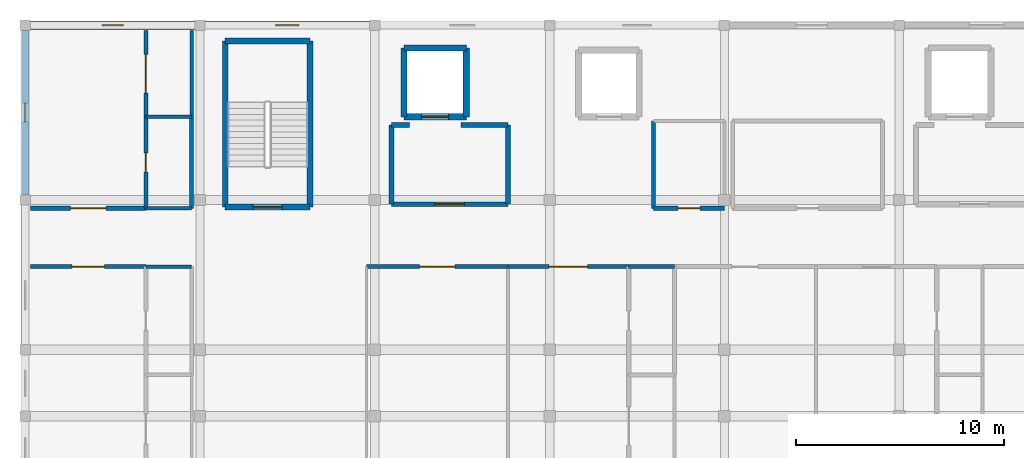
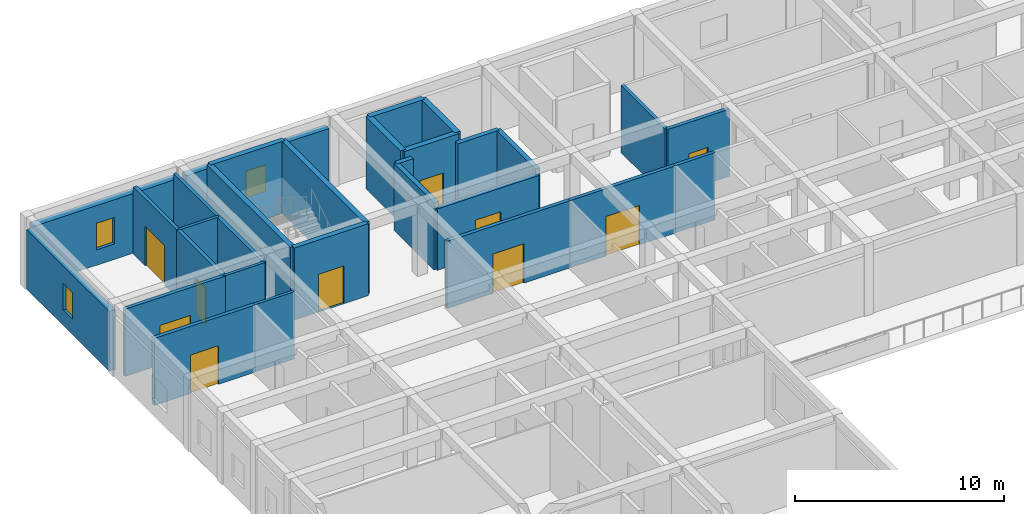
# One storey, part 10 of 28: 30 walls, 10 doors, 3 windows, 13 openings.
"""IFC4 building model written with IfcOpenShell, lengths in metres."""

from ifc_helpers import new_model, si_unit, direction, frame, frame_2d, origin, place, context, subcontext, project, spatial, rectangle, extrude, material, layer, layer_set, type_object, element, fill, save


model = new_model("IFC4")

# Units and contexts
model_context = context("Model", 3, precision=1e-05, world=origin(), true_north=direction((0.0, 1.0)))
body_context = subcontext(model_context, "Body", "Model", "MODEL_VIEW")
ifc_project = project(units=[si_unit("LENGTHUNIT", "METRE"), si_unit("AREAUNIT", "SQUARE_METRE"), si_unit("VOLUMEUNIT", "CUBIC_METRE"), si_unit("PLANEANGLEUNIT", "RADIAN"), si_unit("MASSUNIT", "GRAM", prefix="KILO")], contexts=[model_context])

# Site, building, storey
site_placement = place(None, origin())
site = spatial("IfcSite", under=ifc_project, at=site_placement, CompositionType="ELEMENT")
building_placement = place(site_placement, origin())
building = spatial("IfcBuilding", under=site, at=building_placement, Name="Varncliffe General Hospital", CompositionType="ELEMENT")
storey_placement = place(building_placement, frame((0.0, 0.0, 24.60009765625)))
storey = spatial("IfcBuildingStorey", under=building, at=storey_placement, Name="L05", CompositionType="ELEMENT", Elevation=24.60009765625)

# Wall, opening, window
ifc_material_1 = material(Name="Precast concrete C40/50 with insulated cream lime-cement stucco", Category="concrete")
ifc_layer_1 = layer(ifc_material_1, 0.3798828125)
ifc_layer_set_1 = layer_set([ifc_layer_1], Name="Precast concrete C40/50 with insulated cream lime-cement stucco")
wall_type_1 = type_object("IfcWallType", Name="Exterior Insulated Stucco Wall EW26 (380mm)", PredefinedType="SOLIDWALL", material=ifc_layer_set_1)
wall_1_placement = place(storey_placement, frame((8.64794921875, 124.800048828125, 0.0), z_axis=(0.0, 0.0, 1.0), x_axis=(1.0, 0.0, 0.0)))
wall_1 = element("IfcWall", 1, at=wall_1_placement, inside=storey, type_object=wall_type_1, Name="L05 Exterior Stucco Wall EW26-421", PredefinedType="SOLIDWALL", context=body_context, shape_type="SweptSolid", body=[
    extrude(rectangle(XDim=7.904052734375, YDim=0.3798828125, at=frame_2d((3.9521484375, 0.0))), origin(), (0.0, 0.0, 1.0), 3.47998046875),
])
opening_1_placement = place(wall_1_placement, frame((3.402099609375, 0.0, 0.89990234375)))
opening_1 = element("IfcOpeningElement", 2, at=opening_1_placement, cuts=wall_1, Name="Opening WN69", PredefinedType="OPENING", context=body_context, shape_type="SweptSolid", body=[
    extrude(rectangle(XDim=1.10009765625, YDim=1.550048828125, at=frame_2d((0.550048828125, 0.77490234375))), frame((0.0, 0.199951171875, 0.0), z_axis=(0.0, -1.0, 0.0), x_axis=(1.0, 0.0, 0.0)), (0.0, 0.0, 1.0), 0.39990234375),
])
ifc_material_2 = material(Name="Triple low-E argon insulated vision glazing", Category="glass")
window_type_1 = type_object("IfcWindowType", Name="Triple-Glazed Hospital Window WN69 (1100x1550)", PartitioningType="SINGLE_PANEL", PredefinedType="WINDOW", material=ifc_material_2)
window_1_placement = place(opening_1_placement, origin())
window_1 = element("IfcWindow", 3, at=window_1_placement, inside=storey, type_object=window_type_1, Name="L05 Hospital Window WN69-317", OverallHeight=1.550048828125, OverallWidth=1.10009765625, PartitioningType="SINGLE_PANEL", PredefinedType="WINDOW", context=body_context, shape_type="SweptSolid", body=[
    extrude(rectangle(XDim=1.10009765625, YDim=1.550048828125, at=frame_2d((0.550048828125, 0.77490234375))), frame((0.0, 0.030029296875, 0.0), z_axis=(0.0, -1.0, 0.0), x_axis=(1.0, 0.0, 0.0)), (0.0, 0.0, 1.0), 0.06005859375),
])
fill(opening_1, window_1)

ifc_layer_2 = layer(ifc_material_1, 0.35009765625)
ifc_layer_set_2 = layer_set([ifc_layer_2], Name="Precast concrete C40/50 with insulated cream lime-cement stucco")
wall_type_2 = type_object("IfcWallType", Name="Exterior Insulated Stucco Wall EW37 (350mm)", PredefinedType="SOLIDWALL", material=ifc_layer_set_2)
wall_2_placement = place(storey_placement, frame((0.0, 116.64794921875, 0.0), z_axis=(0.0, 0.0, 1.0), x_axis=(0.0, 1.0, 0.0)))
wall_2 = element("IfcWall", 4, at=wall_2_placement, inside=storey, type_object=wall_type_2, Name="L05 Exterior Stucco Wall EW37-419", PredefinedType="SOLIDWALL", context=body_context, shape_type="SweptSolid", body=[
    extrude(rectangle(XDim=7.904052734375, YDim=0.35009765625, at=frame_2d((3.9521484375, 0.0))), origin(), (0.0, 0.0, 1.0), 3.47998046875),
])
opening_2_placement = place(wall_2_placement, frame((3.501953125, 0.0, 0.89990234375)))
opening_2 = element("IfcOpeningElement", 5, at=opening_2_placement, cuts=wall_2, Name="Opening WN45", PredefinedType="OPENING", context=body_context, shape_type="SweptSolid", body=[
    extrude(rectangle(XDim=0.89990234375, YDim=1.550048828125, at=frame_2d((0.449951171875, 0.77490234375))), frame((0.0, 0.18505859375, 0.0), z_axis=(0.0, -1.0, 0.0), x_axis=(1.0, 0.0, 0.0)), (0.0, 0.0, 1.0), 0.3701171875),
])
window_type_2 = type_object("IfcWindowType", Name="Triple-Glazed Hospital Window WN45 (900x1550)", PartitioningType="SINGLE_PANEL", PredefinedType="WINDOW", material=ifc_material_2)
window_2_placement = place(opening_2_placement, origin())
window_2 = element("IfcWindow", 6, at=window_2_placement, inside=storey, type_object=window_type_2, Name="L05 Hospital Window WN45-315", OverallHeight=1.550048828125, OverallWidth=0.89990234375, PartitioningType="SINGLE_PANEL", PredefinedType="WINDOW", context=body_context, shape_type="SweptSolid", body=[
    extrude(rectangle(XDim=0.89990234375, YDim=1.550048828125, at=frame_2d((0.449951171875, 0.77490234375))), frame((0.0, 0.030029296875, 0.0), z_axis=(0.0, -1.0, 0.0), x_axis=(1.0, 0.0, 0.0)), (0.0, 0.0, 1.0), 0.06005859375),
])
fill(opening_2, window_2)

ifc_layer_3 = layer(ifc_material_1, 0.39990234375)
ifc_layer_set_3 = layer_set([ifc_layer_3], Name="Precast concrete C40/50 with insulated cream lime-cement stucco")
wall_type_3 = type_object("IfcWallType", Name="Exterior Insulated Stucco Wall EW47 (400mm)", PredefinedType="SOLIDWALL", material=ifc_layer_set_3)
wall_3_placement = place(storey_placement, frame((0.248046875, 124.800048828125, 0.0), z_axis=(0.0, 0.0, 1.0), x_axis=(1.0, 0.0, 0.0)))
wall_3 = element("IfcWall", 7, at=wall_3_placement, inside=storey, type_object=wall_type_3, Name="L05 Exterior Stucco Wall EW47-420", PredefinedType="SOLIDWALL", context=body_context, shape_type="SweptSolid", body=[
    extrude(rectangle(XDim=7.904052734375, YDim=0.39990234375, at=frame_2d((3.9521484375, 0.0))), origin(), (0.0, 0.0, 1.0), 3.47998046875),
])
opening_3_placement = place(wall_3_placement, frame((3.451904296875, 0.0, 0.89990234375)))
opening_3 = element("IfcOpeningElement", 8, at=opening_3_placement, cuts=wall_3, Name="Opening WN21", PredefinedType="OPENING", context=body_context, shape_type="SweptSolid", body=[
    extrude(rectangle(XDim=1.0, YDim=1.550048828125, at=frame_2d((0.5, 0.77490234375))), frame((0.0, 0.2099609375, 0.0), z_axis=(0.0, -1.0, 0.0), x_axis=(1.0, 0.0, 0.0)), (0.0, 0.0, 1.0), 0.419921875),
])
window_type_3 = type_object("IfcWindowType", Name="Triple-Glazed Hospital Window WN21 (1000x1550)", PartitioningType="SINGLE_PANEL", PredefinedType="WINDOW", material=ifc_material_2)
window_3_placement = place(opening_3_placement, origin())
window_3 = element("IfcWindow", 9, at=window_3_placement, inside=storey, type_object=window_type_3, Name="L05 Hospital Window WN21-316", OverallHeight=1.550048828125, OverallWidth=1.0, PartitioningType="SINGLE_PANEL", PredefinedType="WINDOW", context=body_context, shape_type="SweptSolid", body=[
    extrude(rectangle(XDim=1.0, YDim=1.550048828125, at=frame_2d((0.5, 0.77490234375))), frame((0.0, 0.030029296875, 0.0), z_axis=(0.0, -1.0, 0.0), x_axis=(1.0, 0.0, 0.0)), (0.0, 0.0, 1.0), 0.06005859375),
])
fill(opening_3, window_3)

# Walls
ifc_material_3 = material(Name="Acoustic clinical gypsum stud partition assembly", Category="gypsum")
ifc_layer_4 = layer(ifc_material_3, 0.169921875)
ifc_layer_set_4 = layer_set([ifc_layer_4], Name="Acoustic clinical gypsum stud partition assembly")
wall_type_4 = type_object("IfcWallType", Name="Interior Partitioning IW20 (170mm)", PredefinedType="PARTITIONING", material=ifc_layer_set_4)
wall_4_placement = place(storey_placement, frame((8.0, 120.39990234375, 0.0), z_axis=(0.0, 0.0, 1.0), x_axis=(0.0, 1.0, 0.0)))
element("IfcWall", 10, at=wall_4_placement, inside=storey, type_object=wall_type_4, Name="L05 Interior Partition Wall IW20-2105", PredefinedType="PARTITIONING", context=body_context, shape_type="SweptSolid", body=[
    extrude(rectangle(XDim=4.14013671875, YDim=0.169921875, at=frame_2d((2.070068359375, 0.0))), origin(), (0.0, 0.0, 1.0), 3.919921875),
])
ifc_material_4 = material(Name="Fire-rated gypsum and mineral-wool partition assembly", Category="gypsum")
ifc_layer_5 = layer(ifc_material_4, 0.25)
ifc_layer_set_5 = layer_set([ifc_layer_5], Name="Fire-rated gypsum and mineral-wool partition assembly")
wall_type_5 = type_object("IfcWallType", Name="Interior Partitioning PW38 (250mm)", PredefinedType="PARTITIONING", material=ifc_layer_set_5)
wall_5_placement = place(storey_placement, frame((20.935791015625, 120.0, 0.0), z_axis=(0.0, 0.0, 1.0), x_axis=(1.0, 0.0, 0.0)))
element("IfcWall", 11, at=wall_5_placement, inside=storey, type_object=wall_type_5, Name="L05 Interior Partition Wall PW38-2085", PredefinedType="PARTITIONING", context=body_context, shape_type="SweptSolid", body=[
    extrude(rectangle(XDim=2.26416015625, YDim=0.25, at=frame_2d((1.132080078125, 0.0))), origin(), (0.0, 0.0, 1.0), 3.919921875),
])
wall_6_placement = place(storey_placement, frame((17.60009765625, 120.0, 0.0), z_axis=(0.0, 0.0, 1.0), x_axis=(1.0, 0.0, 0.0)))
element("IfcWall", 12, at=wall_6_placement, inside=storey, type_object=wall_type_5, Name="L05 Interior Partition Wall PW38-2086", PredefinedType="PARTITIONING", context=body_context, shape_type="SweptSolid", body=[
    extrude(rectangle(XDim=0.864013671875, YDim=0.25, at=frame_2d((0.43212890625, 0.0))), origin(), (0.0, 0.0, 1.0), 3.919921875),
])
for number, where, z_axis, x_axis, name in (
    (13, (17.60009765625, 116.199951171875, 0.0), (0.0, 0.0, 1.0), (0.0, 1.0, 0.0), "L05 Interior Partition Wall PW38-2113"),
    (14, (23.199951171875, 116.199951171875, 0.0), (0.0, 0.0, 1.0), (0.0, 1.0, 0.0), "L05 Interior Partition Wall PW38-2115"),
):
    element("IfcWall", number, at=place(storey_placement, frame(where, z_axis=z_axis, x_axis=x_axis)), inside=storey, type_object=wall_type_5, Name=name, PredefinedType="PARTITIONING", context=body_context, shape_type="SweptSolid", body=[
        extrude(rectangle(XDim=3.800048828125, YDim=0.25, at=frame_2d((1.89990234375, 0.0))), origin(), (0.0, 0.0, 1.0), 3.919921875),
    ])

# Wall, opening, door
ifc_layer_6 = layer(ifc_material_4, 0.22998046875)
ifc_layer_set_6 = layer_set([ifc_layer_6], Name="Fire-rated gypsum and mineral-wool partition assembly")
wall_type_6 = type_object("IfcWallType", Name="Interior Partitioning PW48 (230mm)", PredefinedType="PARTITIONING", material=ifc_layer_set_6)
wall_7_placement = place(storey_placement, frame((17.60009765625, 116.199951171875, 0.0), z_axis=(0.0, 0.0, 1.0), x_axis=(1.0, 0.0, 0.0)))
wall_7 = element("IfcWall", 15, at=wall_7_placement, inside=storey, type_object=wall_type_6, Name="L05 Interior Partition Wall PW48-2082", PredefinedType="PARTITIONING", context=body_context, shape_type="SweptSolid", body=[
    extrude(rectangle(XDim=5.599853515625, YDim=0.22998046875, at=frame_2d((2.7998046875, 0.0))), origin(), (0.0, 0.0, 1.0), 3.5849609375),
])
opening_4_placement = place(wall_7_placement, frame((2.10009765625, 0.0, 0.0)))
opening_4 = element("IfcOpeningElement", 16, at=opening_4_placement, cuts=wall_7, Name="Opening DF81", PredefinedType="OPENING", context=body_context, shape_type="SweptSolid", body=[
    extrude(rectangle(XDim=1.39990234375, YDim=2.199951171875, at=frame_2d((0.699951171875, 1.10009765625))), frame((0.0, 0.125, 0.0), z_axis=(0.0, -1.0, 0.0), x_axis=(1.0, 0.0, 0.0)), (0.0, 0.0, 1.0), 0.25),
])
ifc_material_5 = material(Name="Fire-rated hospital steel-frame vision-panel door", Category="steel")
door_type_1 = type_object("IfcDoorType", Name="Interior Hospital Door DF81 (1400x2200)", OperationType="NOTDEFINED", PredefinedType="DOOR", material=ifc_material_5)
door_1_placement = place(opening_4_placement, origin())
door_1 = element("IfcDoor", 17, at=door_1_placement, inside=storey, type_object=door_type_1, Name="L05 Firefighting Lift Lobby LF01 Door", OperationType="SINGLE_SWING_RIGHT", OverallHeight=2.199951171875, OverallWidth=1.39990234375, PredefinedType="DOOR", context=body_context, shape_type="SweptSolid", body=[
    extrude(rectangle(XDim=1.39990234375, YDim=2.199951171875, at=frame_2d((0.699951171875, 1.10009765625))), frame((0.0, 0.02490234375, 0.0), z_axis=(0.0, -1.0, 0.0), x_axis=(1.0, 0.0, 0.0)), (0.0, 0.0, 1.0), 0.050048828125),
])
fill(opening_4, door_1)

ifc_layer_7 = layer(ifc_material_4, 0.199951171875)
ifc_layer_set_7 = layer_set([ifc_layer_7], Name="Fire-rated gypsum and mineral-wool partition assembly")
wall_type_7 = type_object("IfcWallType", Name="Interior Partitioning PW63 (200mm)", PredefinedType="PARTITIONING", material=ifc_layer_set_7)
wall_8_placement = place(storey_placement, frame((0.260009765625, 113.199951171875, 0.0), z_axis=(0.0, 0.0, 1.0), x_axis=(1.0, 0.0, 0.0)))
wall_8 = element("IfcWall", 18, at=wall_8_placement, inside=storey, type_object=wall_type_7, Name="L05 Interior Partition Wall PW63-2048", PredefinedType="PARTITIONING", context=body_context, shape_type="SweptSolid", body=[
    extrude(rectangle(XDim=5.5400390625, YDim=0.199951171875, at=frame_2d((2.77001953125, 0.0))), origin(), (0.0, 0.0, 1.0), 3.919921875),
])
opening_5_placement = place(wall_8_placement, frame((1.9951171875, 0.0, 0.0)))
opening_5 = element("IfcOpeningElement", 19, at=opening_5_placement, cuts=wall_8, Name="Opening DC67", PredefinedType="OPENING", context=body_context, shape_type="SweptSolid", body=[
    extrude(rectangle(XDim=1.550048828125, YDim=2.25, at=frame_2d((0.77490234375, 1.125))), frame((0.0, 0.10986328125, 0.0), z_axis=(0.0, -1.0, 0.0), x_axis=(1.0, 0.0, 0.0)), (0.0, 0.0, 1.0), 0.219970703125),
])
door_type_2 = type_object("IfcDoorType", Name="Interior Hospital Door DC67 (1550x2250)", OperationType="NOTDEFINED", PredefinedType="DOOR", material=ifc_material_5)
door_2_placement = place(opening_5_placement, frame((1.550048828125, 0.0, 0.0), z_axis=(0.0, 0.0, 1.0), x_axis=(-1.0, 0.0, 0.0)))
door_2 = element("IfcDoor", 20, at=door_2_placement, inside=storey, type_object=door_type_2, Name="L05 Maternity Birthing and Postpartum Suite 45 Door", OperationType="SINGLE_SWING_RIGHT", OverallHeight=2.25, OverallWidth=1.550048828125, PredefinedType="DOOR", context=body_context, shape_type="SweptSolid", body=[
    extrude(rectangle(XDim=1.550048828125, YDim=2.25, at=frame_2d((0.77490234375, 1.125))), frame((0.0, 0.02490234375, 0.0), z_axis=(0.0, -1.0, 0.0), x_axis=(1.0, 0.0, 0.0)), (0.0, 0.0, 1.0), 0.050048828125),
])
fill(opening_5, door_2)

wall_9_placement = place(storey_placement, frame((16.39990234375, 113.199951171875, 0.0), z_axis=(0.0, 0.0, 1.0), x_axis=(1.0, 0.0, 0.0)))
wall_9 = element("IfcWall", 21, at=wall_9_placement, inside=storey, type_object=wall_type_7, Name="L05 Interior Partition Wall PW63-2050", PredefinedType="PARTITIONING", context=body_context, shape_type="SweptSolid", body=[
    extrude(rectangle(XDim=6.800048828125, YDim=0.199951171875, at=frame_2d((3.39990234375, 0.0))), origin(), (0.0, 0.0, 1.0), 3.919921875),
])
opening_6_placement = place(wall_9_placement, frame((2.550048828125, 0.0, 0.0)))
opening_6 = element("IfcOpeningElement", 22, at=opening_6_placement, cuts=wall_9, Name="Opening DC50", PredefinedType="OPENING", context=body_context, shape_type="SweptSolid", body=[
    extrude(rectangle(XDim=1.699951171875, YDim=2.300048828125, at=frame_2d((0.85009765625, 1.14990234375))), frame((0.0, 0.10986328125, 0.0), z_axis=(0.0, -1.0, 0.0), x_axis=(1.0, 0.0, 0.0)), (0.0, 0.0, 1.0), 0.219970703125),
])
door_type_3 = type_object("IfcDoorType", Name="Interior Hospital Door DC50 (1700x2300)", OperationType="NOTDEFINED", PredefinedType="DOOR", material=ifc_material_5)
door_3_placement = place(opening_6_placement, frame((1.699951171875, 0.0, 0.0), z_axis=(0.0, 0.0, 1.0), x_axis=(-1.0, 0.0, 0.0)))
door_3 = element("IfcDoor", 23, at=door_3_placement, inside=storey, type_object=door_type_3, Name="L05 Family Waiting Lounge and Terrace Vestibule 48 Door", OperationType="SINGLE_SWING_LEFT", OverallHeight=2.300048828125, OverallWidth=1.699951171875, PredefinedType="DOOR", context=body_context, shape_type="SweptSolid", body=[
    extrude(rectangle(XDim=1.699951171875, YDim=2.300048828125, at=frame_2d((0.85009765625, 1.14990234375))), frame((0.0, 0.02490234375, 0.0), z_axis=(0.0, -1.0, 0.0), x_axis=(1.0, 0.0, 0.0)), (0.0, 0.0, 1.0), 0.050048828125),
])
fill(opening_6, door_3)

wall_10_placement = place(storey_placement, frame((23.199951171875, 113.199951171875, 0.0), z_axis=(0.0, 0.0, 1.0), x_axis=(1.0, 0.0, 0.0)))
wall_10 = element("IfcWall", 24, at=wall_10_placement, inside=storey, type_object=wall_type_7, Name="L05 Interior Partition Wall PW63-2051", PredefinedType="PARTITIONING", context=body_context, shape_type="SweptSolid", body=[
    extrude(rectangle(XDim=5.800048828125, YDim=0.199951171875, at=frame_2d((2.89990234375, 0.0))), origin(), (0.0, 0.0, 1.0), 3.919921875),
])
opening_7_placement = place(wall_10_placement, frame((1.97509765625, 0.0, 0.0)))
opening_7 = element("IfcOpeningElement", 25, at=opening_7_placement, cuts=wall_10, Name="Opening DC38", PredefinedType="OPENING", context=body_context, shape_type="SweptSolid", body=[
    extrude(rectangle(XDim=1.85009765625, YDim=2.300048828125, at=frame_2d((0.925048828125, 1.14990234375))), frame((0.0, 0.10986328125, 0.0), z_axis=(0.0, -1.0, 0.0), x_axis=(1.0, 0.0, 0.0)), (0.0, 0.0, 1.0), 0.219970703125),
])
door_type_4 = type_object("IfcDoorType", Name="Interior Hospital Door DC38 (1850x2300)", OperationType="NOTDEFINED", PredefinedType="DOOR", material=ifc_material_5)
door_4_placement = place(opening_7_placement, frame((1.85009765625, 0.0, 0.0), z_axis=(0.0, 0.0, 1.0), x_axis=(-1.0, 0.0, 0.0)))
door_4 = element("IfcDoor", 26, at=door_4_placement, inside=storey, type_object=door_type_4, Name="L05 Maternity Birthing and Postpartum Suite 49 Door", OperationType="SINGLE_SWING_RIGHT", OverallHeight=2.300048828125, OverallWidth=1.85009765625, PredefinedType="DOOR", context=body_context, shape_type="SweptSolid", body=[
    extrude(rectangle(XDim=1.85009765625, YDim=2.300048828125, at=frame_2d((0.925048828125, 1.14990234375))), frame((0.0, 0.02490234375, 0.0), z_axis=(0.0, -1.0, 0.0), x_axis=(1.0, 0.0, 0.0)), (0.0, 0.0, 1.0), 0.050048828125),
])
fill(opening_7, door_4)

wall_11_placement = place(storey_placement, frame((0.260009765625, 116.0, 0.0), z_axis=(0.0, 0.0, 1.0), x_axis=(1.0, 0.0, 0.0)))
wall_11 = element("IfcWall", 27, at=wall_11_placement, inside=storey, type_object=wall_type_7, Name="L05 Interior Partition Wall PW63-2070", PredefinedType="PARTITIONING", context=body_context, shape_type="SweptSolid", body=[
    extrude(rectangle(XDim=5.5400390625, YDim=0.199951171875, at=frame_2d((2.77001953125, 0.0))), origin(), (0.0, 0.0, 1.0), 3.919921875),
])
opening_8_placement = place(wall_11_placement, frame((1.919921875, 0.0, 0.0)))
opening_8 = element("IfcOpeningElement", 28, at=opening_8_placement, cuts=wall_11, Name="Opening DC50", PredefinedType="OPENING", context=body_context, shape_type="SweptSolid", body=[
    extrude(rectangle(XDim=1.699951171875, YDim=2.300048828125, at=frame_2d((0.85009765625, 1.14990234375))), frame((0.0, 0.10986328125, 0.0), z_axis=(0.0, -1.0, 0.0), x_axis=(1.0, 0.0, 0.0)), (0.0, 0.0, 1.0), 0.219970703125),
])
door_5_placement = place(opening_8_placement, origin())
door_5 = element("IfcDoor", 29, at=door_5_placement, inside=storey, type_object=door_type_3, Name="L05 Maternity Birthing and Postpartum Suite 74 Door", OperationType="SINGLE_SWING_LEFT", OverallHeight=2.300048828125, OverallWidth=1.699951171875, PredefinedType="DOOR", context=body_context, shape_type="SweptSolid", body=[
    extrude(rectangle(XDim=1.699951171875, YDim=2.300048828125, at=frame_2d((0.85009765625, 1.14990234375))), frame((0.0, 0.02490234375, 0.0), z_axis=(0.0, -1.0, 0.0), x_axis=(1.0, 0.0, 0.0)), (0.0, 0.0, 1.0), 0.050048828125),
])
fill(opening_8, door_5)

wall_12_placement = place(storey_placement, frame((30.199951171875, 116.0, 0.0), z_axis=(0.0, 0.0, 1.0), x_axis=(1.0, 0.0, 0.0)))
wall_12 = element("IfcWall", 30, at=wall_12_placement, inside=storey, type_object=wall_type_7, Name="L05 Interior Partition Wall PW63-2072", PredefinedType="PARTITIONING", context=body_context, shape_type="SweptSolid", body=[
    extrude(rectangle(XDim=3.400146484375, YDim=0.199951171875, at=frame_2d((1.7001953125, 0.0))), origin(), (0.0, 0.0, 1.0), 3.919921875),
])
opening_9_placement = place(wall_12_placement, frame((1.179931640625, 0.0, 0.0)))
opening_9 = element("IfcOpeningElement", 31, at=opening_9_placement, cuts=wall_12, Name="Opening DI77", PredefinedType="OPENING", context=body_context, shape_type="SweptSolid", body=[
    extrude(rectangle(XDim=1.0400390625, YDim=2.10009765625, at=frame_2d((0.52001953125, 1.050048828125))), frame((0.0, 0.10986328125, 0.0), z_axis=(0.0, -1.0, 0.0), x_axis=(1.0, 0.0, 0.0)), (0.0, 0.0, 1.0), 0.219970703125),
])
ifc_material_6 = material(Name="Solid-core antimicrobial hospital oak veneer door", Category="wood")
door_type_5 = type_object("IfcDoorType", Name="Interior Hospital Door DI77 (1040x2100)", OperationType="NOTDEFINED", PredefinedType="DOOR", material=ifc_material_6)
door_6_placement = place(opening_9_placement, origin())
door_6 = element("IfcDoor", 32, at=door_6_placement, inside=storey, type_object=door_type_5, Name="L05 Accessible WC L05-NW Door", OperationType="SINGLE_SWING_RIGHT", OverallHeight=2.10009765625, OverallWidth=1.0400390625, PredefinedType="DOOR", context=body_context, shape_type="SweptSolid", body=[
    extrude(rectangle(XDim=1.0400390625, YDim=2.10009765625, at=frame_2d((0.52001953125, 1.050048828125))), frame((0.0, 0.02490234375, 0.0), z_axis=(0.0, -1.0, 0.0), x_axis=(1.0, 0.0, 0.0)), (0.0, 0.0, 1.0), 0.050048828125),
])
fill(opening_9, door_6)

wall_13_placement = place(storey_placement, frame((5.800048828125, 116.0, 0.0), z_axis=(0.0, 0.0, 1.0), x_axis=(0.0, 1.0, 0.0)))
wall_13 = element("IfcWall", 33, at=wall_13_placement, inside=storey, type_object=wall_type_7, Name="L05 Interior Partition Wall PW63-2100", PredefinedType="PARTITIONING", context=body_context, shape_type="SweptSolid", body=[
    extrude(rectangle(XDim=4.39990234375, YDim=0.199951171875, at=frame_2d((2.199951171875, 0.0))), origin(), (0.0, 0.0, 1.0), 3.919921875),
])
opening_10_placement = place(wall_13_placement, frame((1.739990234375, 0.0, 0.0)))
opening_10 = element("IfcOpeningElement", 34, at=opening_10_placement, cuts=wall_13, Name="Opening DI70", PredefinedType="OPENING", context=body_context, shape_type="SweptSolid", body=[
    extrude(rectangle(XDim=0.919921875, YDim=2.10009765625, at=frame_2d((0.4599609375, 1.050048828125))), frame((0.0, 0.10986328125, 0.0), z_axis=(0.0, -1.0, 0.0), x_axis=(1.0, 0.0, 0.0)), (0.0, 0.0, 1.0), 0.219970703125),
])
door_type_6 = type_object("IfcDoorType", Name="Interior Hospital Door DI70 (920x2100)", OperationType="NOTDEFINED", PredefinedType="DOOR", material=ifc_material_6)
door_7_placement = place(opening_10_placement, frame((0.919921875, 0.0, 0.0), z_axis=(0.0, 0.0, 1.0), x_axis=(-1.0, 0.0, 0.0)))
door_7 = element("IfcDoor", 35, at=door_7_placement, inside=storey, type_object=door_type_6, Name="L05 En-Suite Bathroom 75 Door", OperationType="SINGLE_SWING_LEFT", OverallHeight=2.10009765625, OverallWidth=0.919921875, PredefinedType="DOOR", context=body_context, shape_type="SweptSolid", body=[
    extrude(rectangle(XDim=0.919921875, YDim=2.10009765625, at=frame_2d((0.4599609375, 1.050048828125))), frame((0.0, 0.02490234375, 0.0), z_axis=(0.0, -1.0, 0.0), x_axis=(1.0, 0.0, 0.0)), (0.0, 0.0, 1.0), 0.050048828125),
])
fill(opening_10, door_7)

wall_14_placement = place(storey_placement, frame((5.800048828125, 120.39990234375, 0.0), z_axis=(0.0, 0.0, 1.0), x_axis=(0.0, 1.0, 0.0)))
wall_14 = element("IfcWall", 36, at=wall_14_placement, inside=storey, type_object=wall_type_7, Name="L05 Interior Partition Wall PW63-2101", PredefinedType="PARTITIONING", context=body_context, shape_type="SweptSolid", body=[
    extrude(rectangle(XDim=4.14013671875, YDim=0.199951171875, at=frame_2d((2.070068359375, 0.0))), origin(), (0.0, 0.0, 1.0), 3.919921875),
])
opening_11_placement = place(wall_14_placement, frame((1.14501953125, 0.0, 0.0)))
opening_11 = element("IfcOpeningElement", 37, at=opening_11_placement, cuts=wall_14, Name="Opening DC38", PredefinedType="OPENING", context=body_context, shape_type="SweptSolid", body=[
    extrude(rectangle(XDim=1.85009765625, YDim=2.300048828125, at=frame_2d((0.925048828125, 1.14990234375))), frame((0.0, 0.10986328125, 0.0), z_axis=(0.0, -1.0, 0.0), x_axis=(1.0, 0.0, 0.0)), (0.0, 0.0, 1.0), 0.219970703125),
])
door_8_placement = place(opening_11_placement, frame((1.85009765625, 0.0, 0.0), z_axis=(0.0, 0.0, 1.0), x_axis=(-1.0, 0.0, 0.0)))
door_8 = element("IfcDoor", 38, at=door_8_placement, inside=storey, type_object=door_type_4, Name="L05 Patient Medication and Hygiene Bay 76 Door", OperationType="SINGLE_SWING_RIGHT", OverallHeight=2.300048828125, OverallWidth=1.85009765625, PredefinedType="DOOR", context=body_context, shape_type="SweptSolid", body=[
    extrude(rectangle(XDim=1.85009765625, YDim=2.300048828125, at=frame_2d((0.925048828125, 1.14990234375))), frame((0.0, 0.02490234375, 0.0), z_axis=(0.0, -1.0, 0.0), x_axis=(1.0, 0.0, 0.0)), (0.0, 0.0, 1.0), 0.050048828125),
])
fill(opening_11, door_8)

# Walls
ifc_material_7 = material(Name="Moisture-resistant plumbing chase wall assembly", Category="gypsum")
ifc_layer_8 = layer(ifc_material_7, 0.18994140625)
ifc_layer_set_8 = layer_set([ifc_layer_8], Name="Moisture-resistant plumbing chase wall assembly")
wall_type_8 = type_object("IfcWallType", Name="Interior Plumbingwall MW17 (190mm)", PredefinedType="PLUMBINGWALL", material=ifc_layer_set_8)
wall_15_placement = place(storey_placement, frame((29.0, 113.199951171875, 0.0), z_axis=(0.0, 0.0, 1.0), x_axis=(1.0, 0.0, 0.0)))
element("IfcWall", 39, at=wall_15_placement, inside=storey, type_object=wall_type_8, Name="L05 Interior Plumbing Wall MW17-2052", PredefinedType="PLUMBINGWALL", context=body_context, shape_type="SweptSolid", body=[
    extrude(rectangle(XDim=2.199951171875, YDim=0.18994140625, at=frame_2d((1.10009765625, 0.0))), origin(), (0.0, 0.0, 1.0), 3.919921875),
])
wall_16_placement = place(storey_placement, frame((8.0, 116.0, 0.0), z_axis=(0.0, 0.0, 1.0), x_axis=(0.0, 1.0, 0.0)))
element("IfcWall", 40, at=wall_16_placement, inside=storey, type_object=wall_type_8, Name="L05 Interior Plumbing Wall MW17-2104", PredefinedType="PLUMBINGWALL", context=body_context, shape_type="SweptSolid", body=[
    extrude(rectangle(XDim=4.39990234375, YDim=0.18994140625, at=frame_2d((2.199951171875, 0.0))), origin(), (0.0, 0.0, 1.0), 3.919921875),
])
wall_17_placement = place(storey_placement, frame((30.199951171875, 116.0, 0.0), z_axis=(0.0, 0.0, 1.0), x_axis=(0.0, 1.0, 0.0)))
element("IfcWall", 41, at=wall_17_placement, inside=storey, type_object=wall_type_8, Name="L05 Interior Plumbing Wall MW17-2118", PredefinedType="PLUMBINGWALL", context=body_context, shape_type="SweptSolid", body=[
    extrude(rectangle(XDim=4.199951171875, YDim=0.18994140625, at=frame_2d((2.10009765625, 0.0))), origin(), (0.0, 0.0, 1.0), 3.919921875),
])
ifc_layer_9 = layer(ifc_material_7, 0.159912109375)
ifc_layer_set_9 = layer_set([ifc_layer_9], Name="Moisture-resistant plumbing chase wall assembly")
wall_type_9 = type_object("IfcWallType", Name="Interior Plumbingwall MW31 (160mm)", PredefinedType="PLUMBINGWALL", material=ifc_layer_set_9)
for number, where, z_axis, x_axis, name in (
    (42, (5.800048828125, 113.199951171875, 0.0), (0.0, 0.0, 1.0), (1.0, 0.0, 0.0), "L05 Interior Plumbing Wall MW31-2049"),
    (43, (5.800048828125, 116.0, 0.0), (0.0, 0.0, 1.0), (1.0, 0.0, 0.0), "L05 Interior Plumbing Wall MW31-2071"),
    (44, (5.800048828125, 120.39990234375, 0.0), (0.0, 0.0, 1.0), (1.0, 0.0, 0.0), "L05 Interior Plumbing Wall MW31-2095"),
):
    element("IfcWall", number, at=place(storey_placement, frame(where, z_axis=z_axis, x_axis=x_axis)), inside=storey, type_object=wall_type_9, Name=name, PredefinedType="PLUMBINGWALL", context=body_context, shape_type="SweptSolid", body=[
        extrude(rectangle(XDim=2.199951171875, YDim=0.159912109375, at=frame_2d((1.10009765625, 0.0))), origin(), (0.0, 0.0, 1.0), 3.919921875),
    ])

# Wall, opening, door
ifc_material_8 = material(Name="Concrete C40/50 (CSA A23.1 40 MPa)", Category="concrete")
ifc_layer_10 = layer(ifc_material_8, 0.300048828125)
ifc_layer_set_10 = layer_set([ifc_layer_10], Name="Concrete C40/50 (CSA A23.1 40 MPa)")
wall_type_10 = type_object("IfcWallType", Name="Reinforced Concrete Core Shear Wall CW12 (300mm)", PredefinedType="SHEAR", material=ifc_layer_set_10)
wall_18_placement = place(storey_placement, frame((18.199951171875, 120.39990234375, 0.0), z_axis=(0.0, 0.0, 1.0), x_axis=(1.0, 0.0, 0.0)))
wall_18 = element("IfcWall", 45, at=wall_18_placement, inside=storey, type_object=wall_type_10, Name="L05 LF01 Elevator Shaft Wall South", PredefinedType="SHEAR", context=body_context, shape_type="SweptSolid", body=[
    extrude(rectangle(XDim=3.0, YDim=0.300048828125, at=frame_2d((1.5, 0.0))), origin(), (0.0, 0.0, 1.0), 4.199951171875),
])
opening_12_placement = place(wall_18_placement, frame((0.85009765625, 0.0, 0.0)))
opening_12 = element("IfcOpeningElement", 46, at=opening_12_placement, cuts=wall_18, Name="Opening LD02", PredefinedType="OPENING", context=body_context, shape_type="SweptSolid", body=[
    extrude(rectangle(XDim=1.300048828125, YDim=2.199951171875, at=frame_2d((0.64990234375, 1.10009765625))), frame((0.0, 0.16015625, 0.0), z_axis=(0.0, -1.0, 0.0), x_axis=(1.0, 0.0, 0.0)), (0.0, 0.0, 1.0), 0.320068359375),
])
ifc_material_9 = material(Name="Brushed stainless-steel sliding elevator landing door", Category="steel")
door_type_7 = type_object("IfcDoorType", Name="Lift Landing Door LD02 (1300x2200)", OperationType="DOUBLE_DOOR_SLIDING", PredefinedType="DOOR", material=ifc_material_9)
door_9_placement = place(opening_12_placement, origin())
door_9 = element("IfcDoor", 47, at=door_9_placement, inside=storey, type_object=door_type_7, Name="Lift Landing Door LF01 L05", OperationType="DOUBLE_DOOR_SLIDING", OverallHeight=2.199951171875, OverallWidth=1.300048828125, PredefinedType="DOOR", context=body_context, shape_type="SweptSolid", body=[
    extrude(rectangle(XDim=1.300048828125, YDim=2.199951171875, at=frame_2d((0.64990234375, 1.10009765625))), frame((0.0, 0.02490234375, 0.0), z_axis=(0.0, -1.0, 0.0), x_axis=(1.0, 0.0, 0.0)), (0.0, 0.0, 1.0), 0.050048828125),
])
fill(opening_12, door_9)

# Walls
wall_19_placement = place(storey_placement, frame((21.199951171875, 120.39990234375, 0.0), z_axis=(0.0, 0.0, 1.0), x_axis=(0.0, 1.0, 0.0)))
element("IfcWall", 48, at=wall_19_placement, inside=storey, type_object=wall_type_10, Name="L05 LF01 Elevator Shaft Wall East", PredefinedType="SHEAR", context=body_context, shape_type="SweptSolid", body=[
    extrude(rectangle(XDim=3.300048828125, YDim=0.300048828125, at=frame_2d((1.64990234375, 0.0))), origin(), (0.0, 0.0, 1.0), 4.199951171875),
])
wall_20_placement = place(storey_placement, frame((21.199951171875, 123.699951171875, 0.0), z_axis=(0.0, 0.0, 1.0), x_axis=(-1.0, 0.0, 0.0)))
element("IfcWall", 49, at=wall_20_placement, inside=storey, type_object=wall_type_10, Name="L05 LF01 Elevator Shaft Wall North", PredefinedType="SHEAR", context=body_context, shape_type="SweptSolid", body=[
    extrude(rectangle(XDim=3.0, YDim=0.300048828125, at=frame_2d((1.5, 0.0))), origin(), (0.0, 0.0, 1.0), 4.199951171875),
])
wall_21_placement = place(storey_placement, frame((18.199951171875, 123.699951171875, 0.0), z_axis=(0.0, 0.0, 1.0), x_axis=(0.0, -1.0, 0.0)))
element("IfcWall", 50, at=wall_21_placement, inside=storey, type_object=wall_type_10, Name="L05 LF01 Elevator Shaft Wall West", PredefinedType="SHEAR", context=body_context, shape_type="SweptSolid", body=[
    extrude(rectangle(XDim=3.300048828125, YDim=0.300048828125, at=frame_2d((1.64990234375, 0.0))), origin(), (0.0, 0.0, 1.0), 4.199951171875),
])
ifc_layer_11 = layer(ifc_material_8, 0.280029296875)
ifc_layer_set_11 = layer_set([ifc_layer_11], Name="Concrete C40/50 (CSA A23.1 40 MPa)")
wall_type_11 = type_object("IfcWallType", Name="Reinforced Concrete Core Shear Wall CW13 (280mm)", PredefinedType="SHEAR", material=ifc_layer_set_11)
wall_22_placement = place(storey_placement, frame((13.68994140625, 116.06005859375, 0.0), z_axis=(0.0, 0.0, 1.0), x_axis=(0.0, 1.0, 0.0)))
element("IfcWall", 51, at=wall_22_placement, inside=storey, type_object=wall_type_11, Name="L05 ST01 Core Shear Wall L", PredefinedType="SHEAR", context=body_context, shape_type="SweptSolid", body=[
    extrude(rectangle(XDim=7.97998046875, YDim=0.280029296875, at=frame_2d((3.989990234375, 0.0))), origin(), (0.0, 0.0, 1.0), 4.199951171875),
])
wall_23_placement = place(storey_placement, frame((13.68994140625, 124.0400390625, 0.0), z_axis=(0.0, 0.0, 1.0), x_axis=(-1.0, 0.0, 0.0)))
element("IfcWall", 52, at=wall_23_placement, inside=storey, type_object=wall_type_11, Name="L05 ST01 Core Shear Wall F", PredefinedType="SHEAR", context=body_context, shape_type="SweptSolid", body=[
    extrude(rectangle(XDim=4.079833984375, YDim=0.280029296875, at=frame_2d((2.0400390625, 0.0))), origin(), (0.0, 0.0, 1.0), 4.199951171875),
])
wall_24_placement = place(storey_placement, frame((9.610107421875, 124.0400390625, 0.0), z_axis=(0.0, 0.0, 1.0), x_axis=(0.0, -1.0, 0.0)))
element("IfcWall", 53, at=wall_24_placement, inside=storey, type_object=wall_type_11, Name="L05 ST01 Core Shear Wall R", PredefinedType="SHEAR", context=body_context, shape_type="SweptSolid", body=[
    extrude(rectangle(XDim=7.97998046875, YDim=0.280029296875, at=frame_2d((3.989990234375, 0.0))), origin(), (0.0, 0.0, 1.0), 4.199951171875),
])

# Wall, opening, door
wall_25_placement = place(storey_placement, frame((9.610107421875, 116.06005859375, 0.0), z_axis=(0.0, 0.0, 1.0), x_axis=(1.0, 0.0, 0.0)))
wall_25 = element("IfcWall", 54, at=wall_25_placement, inside=storey, type_object=wall_type_11, Name="L05 ST01 Core Shear Wall N", PredefinedType="SHEAR", context=body_context, shape_type="SweptSolid", body=[
    extrude(rectangle(XDim=4.079833984375, YDim=0.280029296875, at=frame_2d((2.0400390625, 0.0))), origin(), (0.0, 0.0, 1.0), 4.199951171875),
])
opening_13_placement = place(wall_25_placement, frame((1.340087890625, 0.0, 0.0)))
opening_13 = element("IfcOpeningElement", 55, at=opening_13_placement, cuts=wall_25, Name="Opening DF81", PredefinedType="OPENING", context=body_context, shape_type="SweptSolid", body=[
    extrude(rectangle(XDim=1.39990234375, YDim=2.199951171875, at=frame_2d((0.699951171875, 1.10009765625))), frame((0.0, 0.14990234375, 0.0), z_axis=(0.0, -1.0, 0.0), x_axis=(1.0, 0.0, 0.0)), (0.0, 0.0, 1.0), 0.300048828125),
])
door_10_placement = place(opening_13_placement, frame((1.39990234375, 0.0, 0.0), z_axis=(0.0, 0.0, 1.0), x_axis=(-1.0, 0.0, 0.0)))
door_10 = element("IfcDoor", 56, at=door_10_placement, inside=storey, type_object=door_type_1, Name="L05 ST01 Protected Exit Stair Door", OperationType="SINGLE_SWING_LEFT", OverallHeight=2.199951171875, OverallWidth=1.39990234375, PredefinedType="DOOR", context=body_context, shape_type="SweptSolid", body=[
    extrude(rectangle(XDim=1.39990234375, YDim=2.199951171875, at=frame_2d((0.699951171875, 1.10009765625))), frame((0.0, 0.02490234375, 0.0), z_axis=(0.0, -1.0, 0.0), x_axis=(1.0, 0.0, 0.0)), (0.0, 0.0, 1.0), 0.050048828125),
])
fill(opening_13, door_10)

save(model, "model.ifc")
